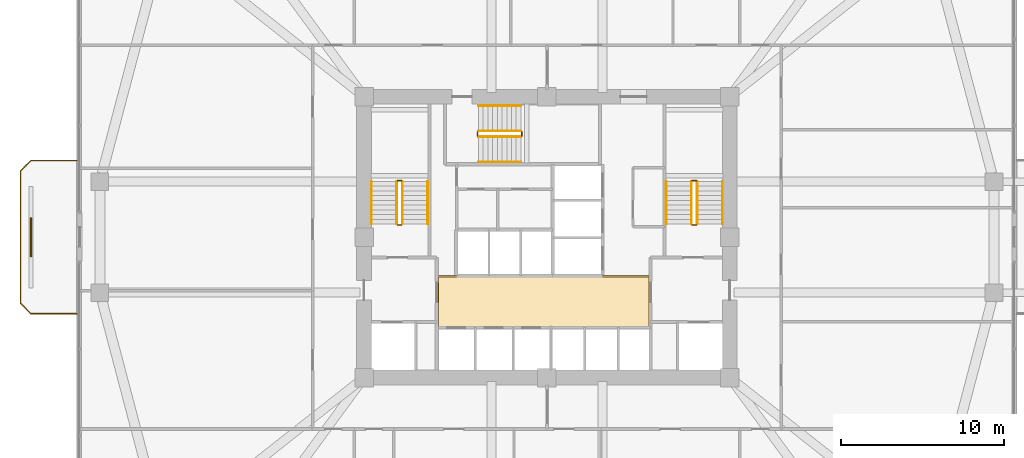
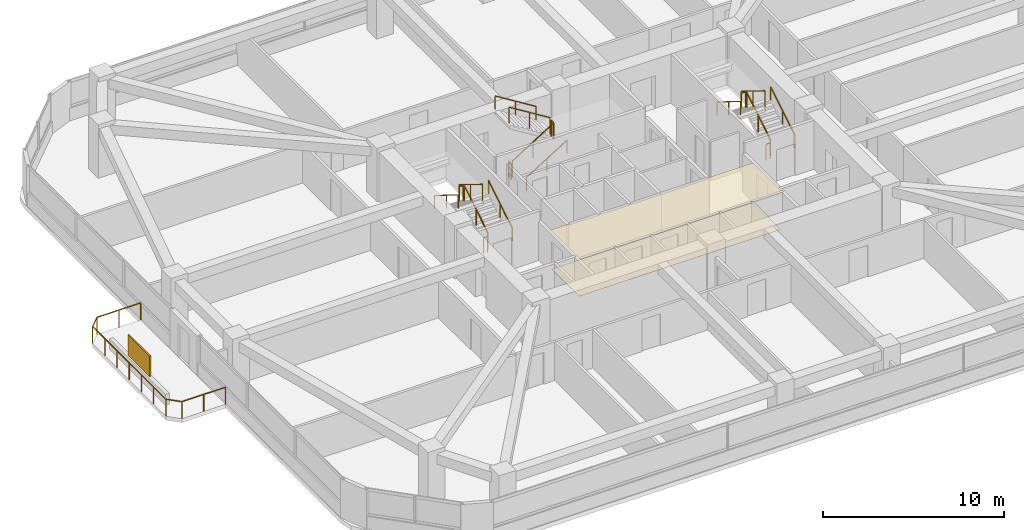
# One storey, part 14 of 15: 19 railings, 2 coverings, 1 shading device.
"""IFC4 building model written with IfcOpenShell, lengths in metres."""

from ifc_helpers import new_model, si_unit, derived_unit, direction, frame, origin, origin_2d, place, context, subcontext, project, spatial, polyline, rectangle, outline, extrude, material, layer, layer_set, type_object, element, save


model = new_model("IFC4")

# Units and contexts
model_context = context("Model", 3, precision=1e-05, world=origin(), true_north=direction((0.0, 1.0)))
body_context = subcontext(model_context, "Body", "Model", "MODEL_VIEW")
ifc_project = project(units=[si_unit("LENGTHUNIT", "METRE"), si_unit("AREAUNIT", "SQUARE_METRE"), si_unit("VOLUMEUNIT", "CUBIC_METRE"), si_unit("PLANEANGLEUNIT", "RADIAN"), si_unit("MASSUNIT", "GRAM", prefix="KILO"), derived_unit("THERMALTRANSMITTANCEUNIT", [(si_unit("POWERUNIT", "WATT"), 1), (si_unit("LENGTHUNIT", "METRE"), -2), (si_unit("THERMODYNAMICTEMPERATUREUNIT", "KELVIN"), -1)])], contexts=[model_context])

# Site, building, storey
site_placement = place(None, origin())
site = spatial("IfcSite", under=ifc_project, at=site_placement, CompositionType="ELEMENT")
building_placement = place(site_placement, origin())
building = spatial("IfcBuilding", under=site, at=building_placement, Name="Koralith Skygarden Medical Center", CompositionType="ELEMENT")
storey_placement = place(building_placement, frame((0.0, 0.0, 27.5400390625)))
storey = spatial("IfcBuildingStorey", under=building, at=storey_placement, Name="L06", CompositionType="ELEMENT", Elevation=27.5400390625)

# Covering
ifc_material_1 = material(Name="Acoustic Mineral Tile")
ifc_layer_1 = layer(ifc_material_1, 0.02001953125)
ifc_layer_set_1 = layer_set([ifc_layer_1], Name="Acoustic Mineral Tile")
covering_type_1 = type_object("IfcCoveringType", Name="Acoustic Hygienic Mineral Ceiling 20", PredefinedType="CEILING", material=ifc_layer_set_1)
covering_1_placement = place(storey_placement, frame((0.0, 0.0, 2.5849609375)))
element("IfcCovering", 1, at=covering_1_placement, inside=storey, type_object=covering_type_1, Name="L06 Core Lobby Acoustic Ceiling", PredefinedType="CEILING", context=body_context, shape_type="SweptSolid", body=[
    extrude(outline(polyline([(30.25, 20.320068359375), (43.35009765625, 20.320068359375), (43.35009765625, 23.56005859375), (30.25, 23.56005859375), (30.25, 20.320068359375)])), origin(), (0.0, 0.0, 1.0), 0.02001953125),
])

# Railing
ifc_material_2 = material(Name="Steel ASTM A500 Grade C", Category="steel")
railing_type_1 = type_object("IfcRailingType", Name="Outdoor Terrace & Balcony Safety Guardrail 1180", PredefinedType="GUARDRAIL", material=ifc_material_2)
railing_1_placement = place(storey_placement, frame((8.199951171875, 21.199951171875, 0.0)))
element("IfcRailing", 2, at=railing_1_placement, inside=storey, type_object=railing_type_1, Name="L06 W Balcony Perimeter Guardrail", PredefinedType="GUARDRAIL", context=body_context, shape_type="SweptSolid", body=[
    extrude(rectangle(XDim=0.050048828125, YDim=0.050048828125, at=origin_2d()), frame((-0.001953125, 0.0, 1.15478515625), z_axis=(-1.0, 0.0, 0.0), x_axis=(0.0, -1.0, 0.0)), (0.0, 0.0, 1.0), 2.796142578125),
    extrude(rectangle(XDim=0.050048828125, YDim=0.050048828125, at=origin_2d()), frame((-2.801513671875, 0.00146484375, 1.15478515625), z_axis=(-0.706973978714, 0.707239558722, 0.0), x_axis=(-0.707239558722, -0.706973978714, 0.0)), (0.0, 0.0, 1.0), 0.915283203125),
    extrude(rectangle(XDim=0.050048828125, YDim=0.050048828125, at=origin_2d()), frame((-3.449951171875, 0.652099609375, 1.15478515625), z_axis=(0.0, 1.0, 0.0), x_axis=(-1.0, 0.0, 0.0)), (0.0, 0.0, 1.0), 8.095947265625),
    extrude(rectangle(XDim=0.050048828125, YDim=0.050048828125, at=origin_2d()), frame((-3.448486328125, 8.75146484375, 1.15478515625), z_axis=(0.706973978714, 0.707239558722, 0.0), x_axis=(-0.707239558722, 0.706973978714, 0.0)), (0.0, 0.0, 1.0), 0.915283203125),
    extrude(rectangle(XDim=0.050048828125, YDim=0.050048828125, at=origin_2d()), frame((-2.798095703125, 9.400146484375, 1.15478515625), z_axis=(1.0, 0.0, 0.0), x_axis=(0.0, 1.0, 0.0)), (0.0, 0.0, 1.0), 2.796142578125),
    extrude(rectangle(XDim=0.0419921875, YDim=0.0419921875, at=origin_2d()), origin(), (0.0, 0.0, 1.0), 1.1279296875),
    extrude(rectangle(XDim=0.0419921875, YDim=0.0419921875, at=origin_2d()), frame((-1.39990234375, 0.0, 0.0)), (0.0, 0.0, 1.0), 1.1279296875),
    extrude(rectangle(XDim=0.0419921875, YDim=0.0419921875, at=origin_2d()), frame((-2.800048828125, 0.0, 0.0)), (0.0, 0.0, 1.0), 1.1279296875),
    extrude(rectangle(XDim=0.0419921875, YDim=0.0419921875, at=origin_2d()), frame((-3.449951171875, 0.650146484375, 0.0)), (0.0, 0.0, 1.0), 1.1279296875),
    extrude(rectangle(XDim=0.0419921875, YDim=0.0419921875, at=origin_2d()), frame((-3.449951171875, 2.0, 0.0)), (0.0, 0.0, 1.0), 1.1279296875),
    extrude(rectangle(XDim=0.0419921875, YDim=0.0419921875, at=origin_2d()), frame((-3.449951171875, 3.35009765625, 0.0)), (0.0, 0.0, 1.0), 1.1279296875),
    extrude(rectangle(XDim=0.0419921875, YDim=0.0419921875, at=origin_2d()), frame((-3.449951171875, 4.7001953125, 0.0)), (0.0, 0.0, 1.0), 1.1279296875),
    extrude(rectangle(XDim=0.0419921875, YDim=0.0419921875, at=origin_2d()), frame((-3.449951171875, 6.050048828125, 0.0)), (0.0, 0.0, 1.0), 1.1279296875),
    extrude(rectangle(XDim=0.0419921875, YDim=0.0419921875, at=origin_2d()), frame((-3.449951171875, 7.39990234375, 0.0)), (0.0, 0.0, 1.0), 1.1279296875),
    extrude(rectangle(XDim=0.0419921875, YDim=0.0419921875, at=origin_2d()), frame((-3.449951171875, 8.75, 0.0)), (0.0, 0.0, 1.0), 1.1279296875),
    extrude(rectangle(XDim=0.0419921875, YDim=0.0419921875, at=origin_2d()), frame((-2.800048828125, 9.400146484375, 0.0)), (0.0, 0.0, 1.0), 1.1279296875),
    extrude(rectangle(XDim=0.0419921875, YDim=0.0419921875, at=origin_2d()), frame((-1.39990234375, 9.400146484375, 0.0)), (0.0, 0.0, 1.0), 1.1279296875),
    extrude(rectangle(XDim=0.0419921875, YDim=0.0419921875, at=origin_2d()), frame((0.0, 9.400146484375, 0.0)), (0.0, 0.0, 1.0), 1.1279296875),
])

# Shading device
ifc_material_3 = material(Name="Aluminium 6063-T6", Category="aluminium")
ifc_layer_2 = layer(ifc_material_3, 0.080078125)
ifc_layer_set_2 = layer_set([ifc_layer_2], Name="Aluminium 6063-T6")
shading_device_type = type_object("IfcShadingDeviceType", Name="Perforated Biophilic Balcony Trellis Screen", PredefinedType="USERDEFINED", material=ifc_layer_set_2)
shading_device_placement = place(storey_placement, frame((5.39990234375, 25.89990234375, 0.719970703125), z_axis=(0.0, 0.0, 1.0), x_axis=(0.0, 1.0, 0.0)))
element("IfcShadingDevice", 3, at=shading_device_placement, inside=storey, type_object=shading_device_type, Name="L06 W Biophilic Balcony Trellis Screen", ObjectType="HURRICANE SCREEN", PredefinedType="USERDEFINED", context=body_context, shape_type="SweptSolid", body=[
    extrude(rectangle(XDim=2.39990234375, YDim=0.080078125, at=origin_2d()), origin(), (0.0, 0.0, 1.0), 1.39990234375),
])

# Covering
ifc_material_4 = material(Name="Medical Terrazzo Flooring")
ifc_layer_3 = layer(ifc_material_4, 0.014892578125)
ifc_layer_set_3 = layer_set([ifc_layer_3], Name="Medical Terrazzo Flooring")
covering_type_2 = type_object("IfcCoveringType", Name="Seamless Antimicrobial Terrazzo Flooring 15", PredefinedType="FLOORING", material=ifc_layer_set_3)
covering_2_placement = place(storey_placement, origin())
element("IfcCovering", 4, at=covering_2_placement, inside=storey, type_object=covering_type_2, Name="L06 Core Lobby Terrazzo Flooring", PredefinedType="FLOORING", context=body_context, shape_type="SweptSolid", body=[
    extrude(outline(polyline([(30.35009765625, 20.419921875), (43.25, 20.419921875), (43.25, 23.4599609375), (30.35009765625, 23.4599609375), (30.35009765625, 20.419921875)])), origin(), (0.0, 0.0, 1.0), 0.014892578125),
])

# Railings
railing_type_2 = type_object("IfcRailingType", Name="Stair Flight Tubular Handrail 920", PredefinedType="HANDRAIL", material=ifc_material_2)
railing_2_placement = place(storey_placement, frame((29.699951171875, 26.699951171875, 0.179931640625)))
element("IfcRailing", 5, at=railing_2_placement, inside=storey, type_object=railing_type_2, Name="L06 ST1 stair handrail 1", PredefinedType="HANDRAIL", context=body_context, shape_type="SweptSolid", body=[
    extrude(rectangle(XDim=0.050048828125, YDim=0.050048828125, at=origin_2d()), frame((0.0, 0.001708984375, 0.89599609375), z_axis=(0.0, 0.849632798774, 0.527374731332), x_axis=(-1.0, 0.0, 0.0)), (0.0, 0.0, 1.0), 3.068115234375),
    extrude(rectangle(XDim=0.0419921875, YDim=0.0419921875, at=origin_2d()), origin(), (0.0, 0.0, 1.0), 0.867919921875),
    extrude(rectangle(XDim=0.0419921875, YDim=0.0419921875, at=origin_2d()), frame((0.0, 1.30517578125, 0.81005859375)), (0.0, 0.0, 1.0), 0.867919921875),
    extrude(rectangle(XDim=0.0419921875, YDim=0.0419921875, at=origin_2d()), frame((0.0, 2.610107421875, 1.6201171875)), (0.0, 0.0, 1.0), 0.867919921875),
])
railing_3_placement = place(storey_placement, frame((26.25, 29.31005859375, 1.97998046875)))
element("IfcRailing", 6, at=railing_3_placement, inside=storey, type_object=railing_type_2, Name="L06 ST1 stair handrail 2", PredefinedType="HANDRAIL", context=body_context, shape_type="SweptSolid", body=[
    extrude(rectangle(XDim=0.050048828125, YDim=0.050048828125, at=origin_2d()), frame((0.0, -0.001708984375, 0.89599609375), z_axis=(0.0, -0.849668407637, 0.527317358963), x_axis=(1.0, 0.0, 0.0)), (0.0, 0.0, 1.0), 3.06787109375),
    extrude(rectangle(XDim=0.0419921875, YDim=0.0419921875, at=origin_2d()), origin(), (0.0, 0.0, 1.0), 0.867919921875),
    extrude(rectangle(XDim=0.0419921875, YDim=0.0419921875, at=origin_2d()), frame((0.0, -1.30517578125, 0.81005859375)), (0.0, 0.0, 1.0), 0.867919921875),
    extrude(rectangle(XDim=0.0419921875, YDim=0.0419921875, at=origin_2d()), frame((0.0, -2.610107421875, 1.619873046875)), (0.0, 0.0, 1.0), 0.867919921875),
])
railing_4_placement = place(storey_placement, frame((47.75, 26.699951171875, 0.179931640625)))
element("IfcRailing", 7, at=railing_4_placement, inside=storey, type_object=railing_type_2, Name="L06 ST2 stair handrail 1", PredefinedType="HANDRAIL", context=body_context, shape_type="SweptSolid", body=[
    extrude(rectangle(XDim=0.050048828125, YDim=0.050048828125, at=origin_2d()), frame((0.0, 0.001708984375, 0.89599609375), z_axis=(0.0, 0.849632798774, 0.527374731332), x_axis=(-1.0, 0.0, 0.0)), (0.0, 0.0, 1.0), 3.068115234375),
    extrude(rectangle(XDim=0.0419921875, YDim=0.0419921875, at=origin_2d()), origin(), (0.0, 0.0, 1.0), 0.867919921875),
    extrude(rectangle(XDim=0.0419921875, YDim=0.0419921875, at=origin_2d()), frame((0.0, 1.30517578125, 0.81005859375)), (0.0, 0.0, 1.0), 0.867919921875),
    extrude(rectangle(XDim=0.0419921875, YDim=0.0419921875, at=origin_2d()), frame((0.0, 2.610107421875, 1.6201171875)), (0.0, 0.0, 1.0), 0.867919921875),
])
railing_5_placement = place(storey_placement, frame((44.300048828125, 29.31005859375, 1.97998046875)))
element("IfcRailing", 8, at=railing_5_placement, inside=storey, type_object=railing_type_2, Name="L06 ST2 stair handrail 2", PredefinedType="HANDRAIL", context=body_context, shape_type="SweptSolid", body=[
    extrude(rectangle(XDim=0.050048828125, YDim=0.050048828125, at=origin_2d()), frame((0.0, -0.001708984375, 0.89599609375), z_axis=(0.0, -0.849668407637, 0.527317358963), x_axis=(1.0, 0.0, 0.0)), (0.0, 0.0, 1.0), 3.06787109375),
    extrude(rectangle(XDim=0.0419921875, YDim=0.0419921875, at=origin_2d()), origin(), (0.0, 0.0, 1.0), 0.867919921875),
    extrude(rectangle(XDim=0.0419921875, YDim=0.0419921875, at=origin_2d()), frame((0.0, -1.30517578125, 0.81005859375)), (0.0, 0.0, 1.0), 0.867919921875),
    extrude(rectangle(XDim=0.0419921875, YDim=0.0419921875, at=origin_2d()), frame((0.0, -2.610107421875, 1.619873046875)), (0.0, 0.0, 1.0), 0.867919921875),
])
railing_6_placement = place(storey_placement, frame((32.800048828125, 30.5, 0.179931640625)))
element("IfcRailing", 9, at=railing_6_placement, inside=storey, type_object=railing_type_2, Name="L06 ST3 stair handrail 1", PredefinedType="HANDRAIL", context=body_context, shape_type="SweptSolid", body=[
    extrude(rectangle(XDim=0.050048828125, YDim=0.050048828125, at=origin_2d()), frame((0.001708984375, 0.0, 0.89599609375), z_axis=(0.849610693518, 0.0, 0.52741034258), x_axis=(0.0, 1.0, 0.0)), (0.0, 0.0, 1.0), 3.06787109375),
    extrude(rectangle(XDim=0.0419921875, YDim=0.0419921875, at=origin_2d()), origin(), (0.0, 0.0, 1.0), 0.867919921875),
    extrude(rectangle(XDim=0.0419921875, YDim=0.0419921875, at=origin_2d()), frame((1.304931640625, 0.0, 0.81005859375)), (0.0, 0.0, 1.0), 0.867919921875),
    extrude(rectangle(XDim=0.0419921875, YDim=0.0419921875, at=origin_2d()), frame((2.60986328125, 0.0, 1.6201171875)), (0.0, 0.0, 1.0), 0.867919921875),
])
railing_7_placement = place(storey_placement, frame((35.409912109375, 33.949951171875, 1.97998046875)))
element("IfcRailing", 10, at=railing_7_placement, inside=storey, type_object=railing_type_2, Name="L06 ST3 stair handrail 2", PredefinedType="HANDRAIL", context=body_context, shape_type="SweptSolid", body=[
    extrude(rectangle(XDim=0.050048828125, YDim=0.050048828125, at=origin_2d()), frame((-0.001708984375, 0.0, 0.89599609375), z_axis=(-0.849646306263, 0.0, 0.527352969322), x_axis=(0.0, -1.0, 0.0)), (0.0, 0.0, 1.0), 3.067626953125),
    extrude(rectangle(XDim=0.0419921875, YDim=0.0419921875, at=origin_2d()), origin(), (0.0, 0.0, 1.0), 0.867919921875),
    extrude(rectangle(XDim=0.0419921875, YDim=0.0419921875, at=origin_2d()), frame((-1.304931640625, 0.0, 0.81005859375)), (0.0, 0.0, 1.0), 0.867919921875),
    extrude(rectangle(XDim=0.0419921875, YDim=0.0419921875, at=origin_2d()), frame((-2.60986328125, 0.0, 1.619873046875)), (0.0, 0.0, 1.0), 0.867919921875),
])
railing_type_3 = type_object("IfcRailingType", Name="Stair Well Safety Guardrail 1100", PredefinedType="GUARDRAIL", material=ifc_material_2)
railing_8_placement = place(storey_placement, frame((28.14990234375, 26.699951171875, 0.179931640625)))
element("IfcRailing", 11, at=railing_8_placement, inside=storey, type_object=railing_type_3, Name="L06 ST1 stair guard 1", PredefinedType="GUARDRAIL", context=body_context, shape_type="SweptSolid", body=[
    extrude(rectangle(XDim=0.050048828125, YDim=0.050048828125, at=origin_2d()), frame((0.0, 0.001708984375, 1.076171875), z_axis=(0.0, 0.849632798774, 0.527374731332), x_axis=(-1.0, 0.0, 0.0)), (0.0, 0.0, 1.0), 3.068115234375),
    extrude(rectangle(XDim=0.0419921875, YDim=0.0419921875, at=origin_2d()), origin(), (0.0, 0.0, 1.0), 1.048095703125),
    extrude(rectangle(XDim=0.0419921875, YDim=0.0419921875, at=origin_2d()), frame((0.0, 1.30517578125, 0.81005859375)), (0.0, 0.0, 1.0), 1.048095703125),
    extrude(rectangle(XDim=0.0419921875, YDim=0.0419921875, at=origin_2d()), frame((0.0, 2.610107421875, 1.6201171875)), (0.0, 0.0, 1.0), 1.048095703125),
])
railing_9_placement = place(storey_placement, frame((28.10009765625, 29.360107421875, 1.800048828125)))
element("IfcRailing", 12, at=railing_9_placement, inside=storey, type_object=railing_type_3, Name="L06 ST1 stair guard 2", PredefinedType="GUARDRAIL", context=body_context, shape_type="SweptSolid", body=[
    extrude(rectangle(XDim=0.050048828125, YDim=0.050048828125, at=origin_2d()), frame((-0.001953125, 0.0, 1.0751953125), z_axis=(-1.0, 0.0, 0.0), x_axis=(0.0, -1.0, 0.0)), (0.0, 0.0, 1.0), 0.24609375),
    extrude(rectangle(XDim=0.0419921875, YDim=0.0419921875, at=origin_2d()), origin(), (0.0, 0.0, 1.0), 1.048095703125),
    extrude(rectangle(XDim=0.0419921875, YDim=0.0419921875, at=origin_2d()), frame((-0.25, 0.0, 0.0)), (0.0, 0.0, 1.0), 1.048095703125),
])
railing_10_placement = place(storey_placement, frame((27.800048828125, 29.31005859375, 1.97998046875)))
element("IfcRailing", 13, at=railing_10_placement, inside=storey, type_object=railing_type_3, Name="L06 ST1 stair guard 3", PredefinedType="GUARDRAIL", context=body_context, shape_type="SweptSolid", body=[
    extrude(rectangle(XDim=0.050048828125, YDim=0.050048828125, at=origin_2d()), frame((0.0, -0.001708984375, 1.076171875), z_axis=(0.0, -0.849668407637, 0.527317358963), x_axis=(1.0, 0.0, 0.0)), (0.0, 0.0, 1.0), 3.06787109375),
    extrude(rectangle(XDim=0.0419921875, YDim=0.0419921875, at=origin_2d()), origin(), (0.0, 0.0, 1.0), 1.048095703125),
    extrude(rectangle(XDim=0.0419921875, YDim=0.0419921875, at=origin_2d()), frame((0.0, -1.30517578125, 0.81005859375)), (0.0, 0.0, 1.0), 1.048095703125),
    extrude(rectangle(XDim=0.0419921875, YDim=0.0419921875, at=origin_2d()), frame((0.0, -2.610107421875, 1.619873046875)), (0.0, 0.0, 1.0), 1.048095703125),
])
railing_11_placement = place(storey_placement, frame((28.10009765625, 26.64990234375, 0.0)))
element("IfcRailing", 14, at=railing_11_placement, inside=storey, type_object=railing_type_3, Name="L06 ST1 stair guard 4", PredefinedType="GUARDRAIL", context=body_context, shape_type="SweptSolid", body=[
    extrude(rectangle(XDim=0.050048828125, YDim=0.050048828125, at=origin_2d()), frame((-0.001953125, 0.0, 1.0751953125), z_axis=(-1.0, 0.0, 0.0), x_axis=(0.0, -1.0, 0.0)), (0.0, 0.0, 1.0), 0.24609375),
    extrude(rectangle(XDim=0.0419921875, YDim=0.0419921875, at=origin_2d()), origin(), (0.0, 0.0, 1.0), 1.048095703125),
    extrude(rectangle(XDim=0.0419921875, YDim=0.0419921875, at=origin_2d()), frame((-0.25, 0.0, 0.0)), (0.0, 0.0, 1.0), 1.048095703125),
])
railing_12_placement = place(storey_placement, frame((46.199951171875, 26.699951171875, 0.179931640625)))
element("IfcRailing", 15, at=railing_12_placement, inside=storey, type_object=railing_type_3, Name="L06 ST2 stair guard 1", PredefinedType="GUARDRAIL", context=body_context, shape_type="SweptSolid", body=[
    extrude(rectangle(XDim=0.050048828125, YDim=0.050048828125, at=origin_2d()), frame((0.0, 0.001708984375, 1.076171875), z_axis=(0.0, 0.849632798774, 0.527374731332), x_axis=(-1.0, 0.0, 0.0)), (0.0, 0.0, 1.0), 3.068115234375),
    extrude(rectangle(XDim=0.0419921875, YDim=0.0419921875, at=origin_2d()), origin(), (0.0, 0.0, 1.0), 1.048095703125),
    extrude(rectangle(XDim=0.0419921875, YDim=0.0419921875, at=origin_2d()), frame((0.0, 1.30517578125, 0.81005859375)), (0.0, 0.0, 1.0), 1.048095703125),
    extrude(rectangle(XDim=0.0419921875, YDim=0.0419921875, at=origin_2d()), frame((0.0, 2.610107421875, 1.6201171875)), (0.0, 0.0, 1.0), 1.048095703125),
])
railing_13_placement = place(storey_placement, frame((46.14990234375, 29.360107421875, 1.800048828125)))
element("IfcRailing", 16, at=railing_13_placement, inside=storey, type_object=railing_type_3, Name="L06 ST2 stair guard 2", PredefinedType="GUARDRAIL", context=body_context, shape_type="SweptSolid", body=[
    extrude(rectangle(XDim=0.050048828125, YDim=0.050048828125, at=origin_2d()), frame((-0.001953125, 0.0, 1.0751953125), z_axis=(-1.0, 0.0, 0.0), x_axis=(0.0, -1.0, 0.0)), (0.0, 0.0, 1.0), 0.24609375),
    extrude(rectangle(XDim=0.0419921875, YDim=0.0419921875, at=origin_2d()), origin(), (0.0, 0.0, 1.0), 1.048095703125),
    extrude(rectangle(XDim=0.0419921875, YDim=0.0419921875, at=origin_2d()), frame((-0.25, 0.0, 0.0)), (0.0, 0.0, 1.0), 1.048095703125),
])
railing_14_placement = place(storey_placement, frame((45.85009765625, 29.31005859375, 1.97998046875)))
element("IfcRailing", 17, at=railing_14_placement, inside=storey, type_object=railing_type_3, Name="L06 ST2 stair guard 3", PredefinedType="GUARDRAIL", context=body_context, shape_type="SweptSolid", body=[
    extrude(rectangle(XDim=0.050048828125, YDim=0.050048828125, at=origin_2d()), frame((0.0, -0.001708984375, 1.076171875), z_axis=(0.0, -0.849668407637, 0.527317358963), x_axis=(1.0, 0.0, 0.0)), (0.0, 0.0, 1.0), 3.06787109375),
    extrude(rectangle(XDim=0.0419921875, YDim=0.0419921875, at=origin_2d()), origin(), (0.0, 0.0, 1.0), 1.048095703125),
    extrude(rectangle(XDim=0.0419921875, YDim=0.0419921875, at=origin_2d()), frame((0.0, -1.30517578125, 0.81005859375)), (0.0, 0.0, 1.0), 1.048095703125),
    extrude(rectangle(XDim=0.0419921875, YDim=0.0419921875, at=origin_2d()), frame((0.0, -2.610107421875, 1.619873046875)), (0.0, 0.0, 1.0), 1.048095703125),
])
railing_15_placement = place(storey_placement, frame((46.14990234375, 26.64990234375, 0.0)))
element("IfcRailing", 18, at=railing_15_placement, inside=storey, type_object=railing_type_3, Name="L06 ST2 stair guard 4", PredefinedType="GUARDRAIL", context=body_context, shape_type="SweptSolid", body=[
    extrude(rectangle(XDim=0.050048828125, YDim=0.050048828125, at=origin_2d()), frame((-0.001953125, 0.0, 1.0751953125), z_axis=(-1.0, 0.0, 0.0), x_axis=(0.0, -1.0, 0.0)), (0.0, 0.0, 1.0), 0.24609375),
    extrude(rectangle(XDim=0.0419921875, YDim=0.0419921875, at=origin_2d()), origin(), (0.0, 0.0, 1.0), 1.048095703125),
    extrude(rectangle(XDim=0.0419921875, YDim=0.0419921875, at=origin_2d()), frame((-0.25, 0.0, 0.0)), (0.0, 0.0, 1.0), 1.048095703125),
])
railing_16_placement = place(storey_placement, frame((32.800048828125, 32.050048828125, 0.179931640625)))
element("IfcRailing", 19, at=railing_16_placement, inside=storey, type_object=railing_type_3, Name="L06 ST3 stair guard 1", PredefinedType="GUARDRAIL", context=body_context, shape_type="SweptSolid", body=[
    extrude(rectangle(XDim=0.050048828125, YDim=0.050048828125, at=origin_2d()), frame((0.001708984375, 0.0, 1.076171875), z_axis=(0.849610693518, 0.0, 0.52741034258), x_axis=(0.0, 1.0, 0.0)), (0.0, 0.0, 1.0), 3.06787109375),
    extrude(rectangle(XDim=0.0419921875, YDim=0.0419921875, at=origin_2d()), origin(), (0.0, 0.0, 1.0), 1.048095703125),
    extrude(rectangle(XDim=0.0419921875, YDim=0.0419921875, at=origin_2d()), frame((1.304931640625, 0.0, 0.81005859375)), (0.0, 0.0, 1.0), 1.048095703125),
    extrude(rectangle(XDim=0.0419921875, YDim=0.0419921875, at=origin_2d()), frame((2.60986328125, 0.0, 1.6201171875)), (0.0, 0.0, 1.0), 1.048095703125),
])
railing_17_placement = place(storey_placement, frame((35.4599609375, 32.10009765625, 1.800048828125)))
element("IfcRailing", 20, at=railing_17_placement, inside=storey, type_object=railing_type_3, Name="L06 ST3 stair guard 2", PredefinedType="GUARDRAIL", context=body_context, shape_type="SweptSolid", body=[
    extrude(rectangle(XDim=0.050048828125, YDim=0.050048828125, at=origin_2d()), frame((0.0, 0.001953125, 1.0751953125), z_axis=(0.0, 1.0, 0.0), x_axis=(-1.0, 0.0, 0.0)), (0.0, 0.0, 1.0), 0.24609375),
    extrude(rectangle(XDim=0.0419921875, YDim=0.0419921875, at=origin_2d()), origin(), (0.0, 0.0, 1.0), 1.048095703125),
    extrude(rectangle(XDim=0.0419921875, YDim=0.0419921875, at=origin_2d()), frame((0.0, 0.25, 0.0)), (0.0, 0.0, 1.0), 1.048095703125),
])
railing_18_placement = place(storey_placement, frame((35.409912109375, 32.39990234375, 1.97998046875)))
element("IfcRailing", 21, at=railing_18_placement, inside=storey, type_object=railing_type_3, Name="L06 ST3 stair guard 3", PredefinedType="GUARDRAIL", context=body_context, shape_type="SweptSolid", body=[
    extrude(rectangle(XDim=0.050048828125, YDim=0.050048828125, at=origin_2d()), frame((-0.001708984375, 0.0, 1.076171875), z_axis=(-0.849646306263, 0.0, 0.527352969322), x_axis=(0.0, -1.0, 0.0)), (0.0, 0.0, 1.0), 3.067626953125),
    extrude(rectangle(XDim=0.0419921875, YDim=0.0419921875, at=origin_2d()), origin(), (0.0, 0.0, 1.0), 1.048095703125),
    extrude(rectangle(XDim=0.0419921875, YDim=0.0419921875, at=origin_2d()), frame((-1.304931640625, 0.0, 0.81005859375)), (0.0, 0.0, 1.0), 1.048095703125),
    extrude(rectangle(XDim=0.0419921875, YDim=0.0419921875, at=origin_2d()), frame((-2.60986328125, 0.0, 1.619873046875)), (0.0, 0.0, 1.0), 1.048095703125),
])
railing_19_placement = place(storey_placement, frame((32.75, 32.10009765625, 0.0)))
element("IfcRailing", 22, at=railing_19_placement, inside=storey, type_object=railing_type_3, Name="L06 ST3 stair guard 4", PredefinedType="GUARDRAIL", context=body_context, shape_type="SweptSolid", body=[
    extrude(rectangle(XDim=0.050048828125, YDim=0.050048828125, at=origin_2d()), frame((0.0, 0.001953125, 1.0751953125), z_axis=(0.0, 1.0, 0.0), x_axis=(-1.0, 0.0, 0.0)), (0.0, 0.0, 1.0), 0.24609375),
    extrude(rectangle(XDim=0.0419921875, YDim=0.0419921875, at=origin_2d()), origin(), (0.0, 0.0, 1.0), 1.048095703125),
    extrude(rectangle(XDim=0.0419921875, YDim=0.0419921875, at=origin_2d()), frame((0.0, 0.25, 0.0)), (0.0, 0.0, 1.0), 1.048095703125),
])

save(model, "model.ifc")
